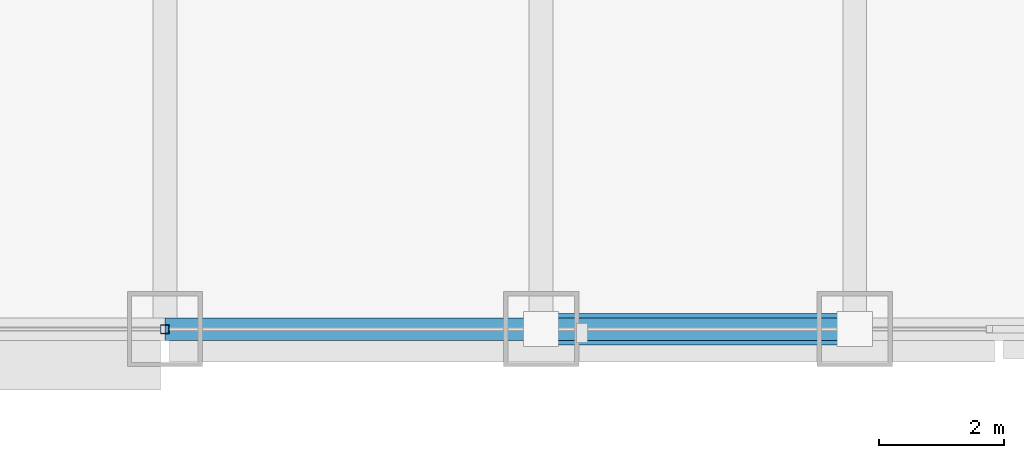
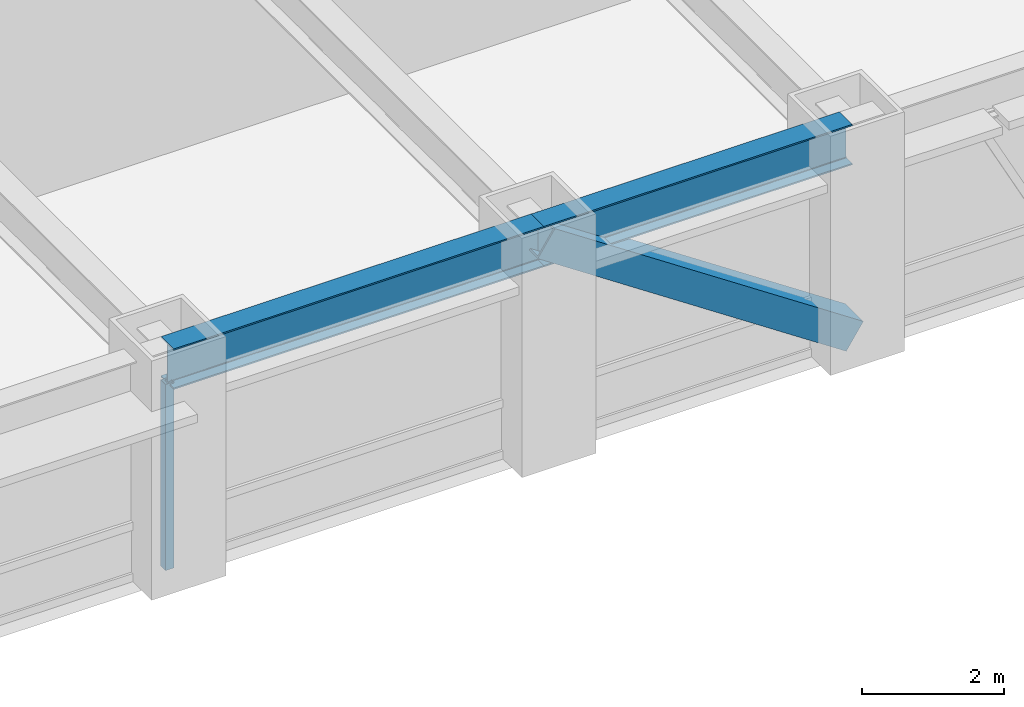
# One storey, part 4 of 32: 2 beams, 2 members, 1 element without a shape of its own.
"""IFC4 building model written with IfcOpenShell, lengths in metres."""

from ifc_helpers import new_model, si_unit, direction, frame, origin, origin_2d, place, context, subcontext, project, spatial, hollow_rectangle, i_section, extrude, source, transform, mapped, material, material_profile, profile_set, type_object, element, aggregate, save


model = new_model("IFC4")

# Units and contexts
model_context = context("Model", 3, precision=1e-05, world=origin(), true_north=direction((0.0, 1.0)))
body_context = subcontext(model_context, "Body", "Model", "MODEL_VIEW")
ifc_project = project(units=[si_unit("LENGTHUNIT", "METRE"), si_unit("AREAUNIT", "SQUARE_METRE"), si_unit("VOLUMEUNIT", "CUBIC_METRE"), si_unit("PLANEANGLEUNIT", "RADIAN"), si_unit("MASSUNIT", "GRAM", prefix="KILO")], contexts=[model_context])

# Site, building, storey
site_placement = place(None, origin())
site = spatial("IfcSite", under=ifc_project, at=site_placement, CompositionType="ELEMENT")
building_placement = place(site_placement, origin())
building = spatial("IfcBuilding", under=site, at=building_placement, Name="Khorayat Bourse Tower", CompositionType="ELEMENT")
storey_placement = place(building_placement, frame((0.0, 0.0, 99.60009765625)))
storey = spatial("IfcBuildingStorey", under=building, at=storey_placement, Name="L22", CompositionType="ELEMENT", Elevation=99.60009765625)

# Beams
ifc_material_1 = material(Name="Steel ASTM A992 Grade 50", Category="steel")
ifc_material_profile_1 = material_profile(ifc_material_1, i_section(OverallWidth=0.35498046875, OverallDepth=0.695068359375, WebThickness=0.015380859375, FlangeThickness=0.02490234375, FilletRadius=0.01806640625, at=origin_2d()), Name="W690X217")
ifc_profile_set_1 = profile_set([ifc_material_profile_1], Name="Steel ASTM A992 Grade 50")
beam_type = type_object("IfcBeamType", Name="BM-SPAN-690", PredefinedType="SPANDREL", material=ifc_profile_set_1)
shared_shape_1 = source(origin(), body_context, "Body", "SweptSolid", [
    extrude(i_section(OverallWidth=0.35498046875, OverallDepth=0.695068359375, WebThickness=0.015380859375, FlangeThickness=0.02490234375, FilletRadius=0.01806640625, at=origin_2d()), origin(), (0.0, 0.0, 1.0), 5.0),
])
beam_1_placement = place(storey_placement, frame((6.0, -32.0, 3.492431640625), z_axis=(1.0, 0.0, 0.0), x_axis=(0.0, 1.0, 0.0)))
element("IfcBeam", 1, at=beam_1_placement, inside=storey, type_object=beam_type, Name="L22 BM-SPAN-690 BM-L22-SPN-029", PredefinedType="SPANDREL", context=body_context, shape_type="MappedRepresentation", body=[
    mapped(shared_shape_1, transform((0.0, 0.0, 0.0), scale=1.0)),
])
shared_shape_2 = source(origin(), body_context, "Body", "SweptSolid", [
    extrude(i_section(OverallWidth=0.35498046875, OverallDepth=0.695068359375, WebThickness=0.015380859375, FlangeThickness=0.02490234375, FilletRadius=0.01806640625, at=origin_2d()), origin(), (0.0, 0.0, 1.0), 6.0),
])
beam_2_placement = place(storey_placement, frame((0.0, -32.0, 3.492431640625), z_axis=(1.0, 0.0, 0.0), x_axis=(0.0, 1.0, 0.0)))
element("IfcBeam", 2, at=beam_2_placement, inside=storey, type_object=beam_type, Name="L22 BM-SPAN-690 BM-L22-SPN-028", PredefinedType="SPANDREL", context=body_context, shape_type="MappedRepresentation", body=[
    mapped(shared_shape_2, transform((0.0, 0.0, 0.0), scale=1.0)),
])

# Member
ifc_material_2 = material(Name="Steel EN 10025-4 S460M", Category="steel")
ifc_material_profile_2 = material_profile(ifc_material_2, hollow_rectangle(XDim=0.5, YDim=0.5, WallThickness=0.028076171875, at=origin_2d()), Name="HSS 500x500x28")
ifc_profile_set_2 = profile_set([ifc_material_profile_2], Name="Steel EN 10025-4 S460M")
member_type_1 = type_object("IfcMemberType", Name="MBR-TUBE-500", PredefinedType="BRACE", material=ifc_profile_set_2)
shared_shape_3 = source(origin(), body_context, "Body", "SweptSolid", [
    extrude(hollow_rectangle(XDim=0.5, YDim=0.5, WallThickness=0.028076171875, at=origin_2d()), origin(), (0.0, 0.0, 1.0), 6.012939453125),
])
member_1_placement = place(storey_placement, frame((6.0, -32.0, 3.58984375), z_axis=(0.831550226979, 0.0, -0.555449565677), x_axis=(0.0, 1.0, 0.0)))
element("IfcMember", 3, at=member_1_placement, inside=storey, type_object=member_type_1, Name="L22 Perimeter Tube Brace 02", PredefinedType="BRACE", context=body_context, shape_type="MappedRepresentation", body=[
    mapped(shared_shape_3, transform((0.0, 0.0, 0.0), scale=1.0)),
])

# Curtain wall, member
ifc_material_3 = material(Name="Aluminium EN AW-6063 T6", Category="aluminium")
curtain_wall_type = type_object("IfcCurtainWallType", Name="CW-SYS-02", PredefinedType="NOTDEFINED", material=ifc_material_3)
curtain_wall_placement = place(storey_placement, origin())
curtain_wall = element("IfcCurtainWall", 4, at=curtain_wall_placement, inside=storey, type_object=curtain_wall_type, Name="L22 Curtain Wall CW-L22-S1", PredefinedType="NOTDEFINED")
ifc_material_profile_3 = material_profile(ifc_material_3, hollow_rectangle(XDim=0.139892578125, YDim=0.139892578125, WallThickness=0.006103515625, at=origin_2d()), Name="ALU 140x140x6")
ifc_profile_set_3 = profile_set([ifc_material_profile_3], Name="Aluminium EN AW-6063 T6")
member_type_2 = type_object("IfcMemberType", Name="CWM-VERT-140", PredefinedType="MULLION", material=ifc_profile_set_3)
shared_shape_4 = source(origin(), body_context, "Body", "SweptSolid", [
    extrude(hollow_rectangle(XDim=0.139892578125, YDim=0.139892578125, WallThickness=0.006103515625, at=origin_2d()), origin(), (0.0, 0.0, 1.0), 3.18994140625),
])
member_2_placement = place(storey_placement, frame((0.0, -32.0, 0.0), z_axis=(0.0, 0.0, 1.0), x_axis=(0.0, 1.0, 0.0)))
member_2 = element("IfcMember", 5, at=member_2_placement, type_object=member_type_2, Name="CW-L22-S1 Vertical Mullion 2", PredefinedType="MULLION", context=body_context, shape_type="MappedRepresentation", body=[
    mapped(shared_shape_4, transform((0.0, 0.0, 0.0), scale=1.0)),
])
aggregate(curtain_wall, [member_2])

save(model, "model.ifc")
